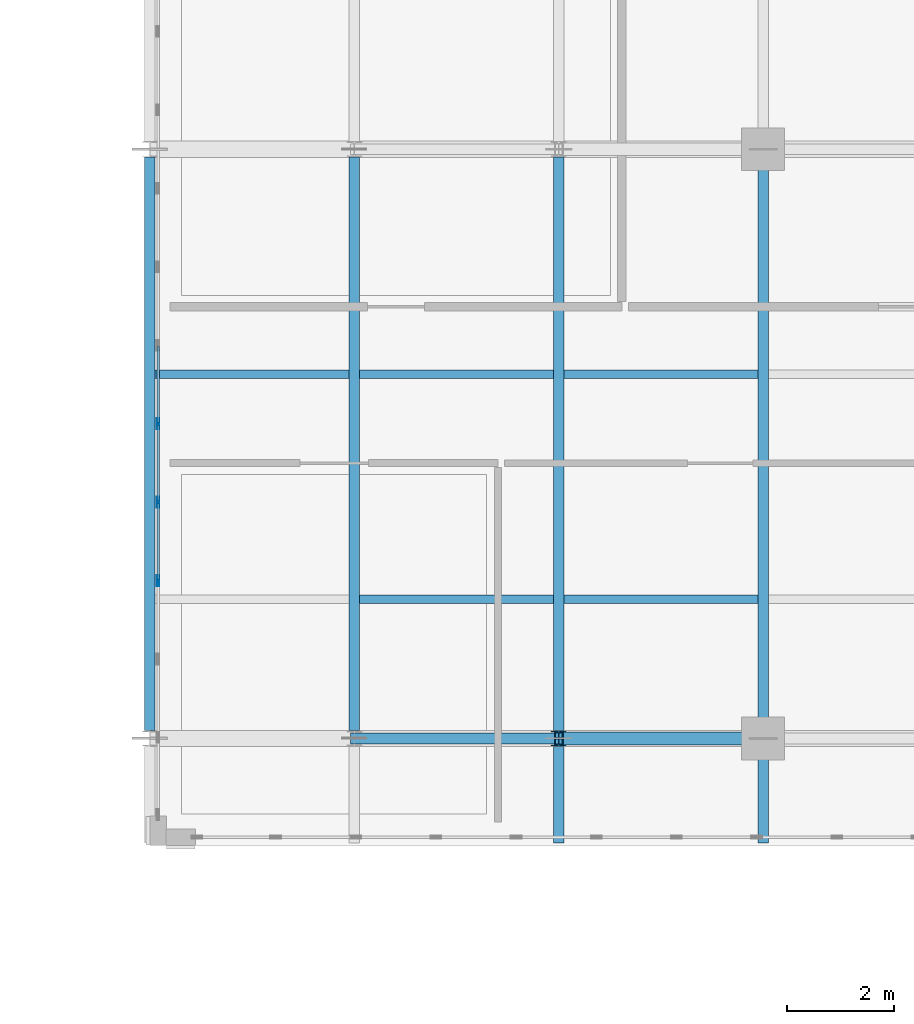
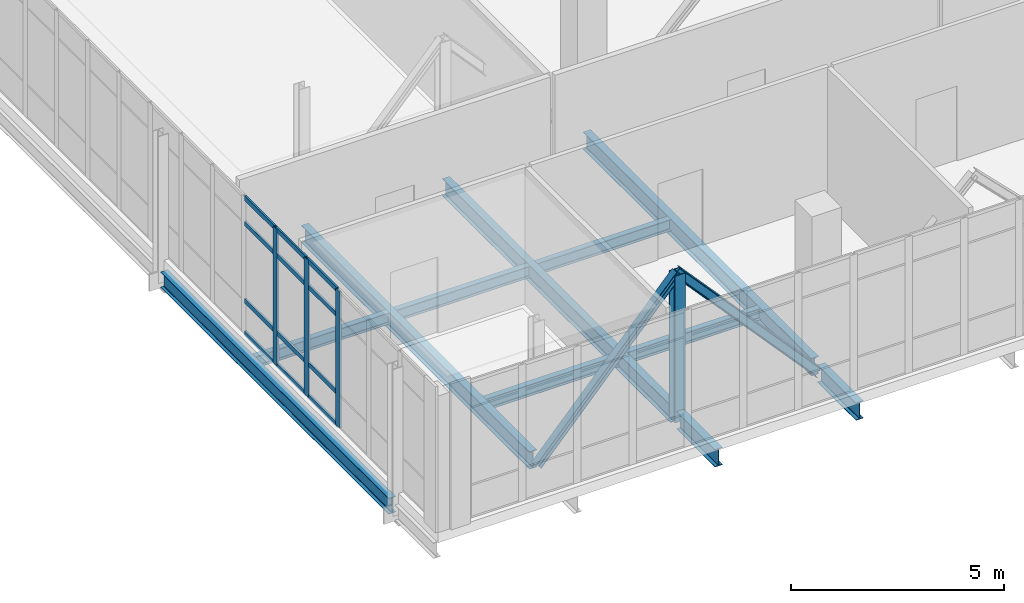
# One storey, part 3 of 193: 18 members, 11 beams, 1 element without a shape of its own.
"""IFC4 building model written with IfcOpenShell, lengths in metres."""

from ifc_helpers import new_model, si_unit, direction, frame, origin, origin_2d, place, context, subcontext, project, spatial, hollow_rectangle, i_section, extrude, material, layer, layer_set, material_profile, profile_set, type_object, element, aggregate, save


model = new_model("IFC4")

# Units and contexts
model_context = context("Model", 3, precision=1e-05, world=origin(), true_north=direction((0.0, 1.0)))
body_context = subcontext(model_context, "Body", "Model", "MODEL_VIEW")
ifc_project = project(units=[si_unit("LENGTHUNIT", "METRE"), si_unit("AREAUNIT", "SQUARE_METRE"), si_unit("VOLUMEUNIT", "CUBIC_METRE"), si_unit("PLANEANGLEUNIT", "RADIAN"), si_unit("MASSUNIT", "GRAM", prefix="KILO")], contexts=[model_context])

# Site, building, storey
site_placement = place(None, origin())
site = spatial("IfcSite", under=ifc_project, at=site_placement, CompositionType="ELEMENT")
building_placement = place(site_placement, origin())
building = spatial("IfcBuilding", under=site, at=building_placement, Name="Qalavern Law Courts", CompositionType="ELEMENT")
storey_placement = place(building_placement, frame((0.0, 0.0, 10.199951171875)))
storey = spatial("IfcBuildingStorey", under=building, at=storey_placement, Name="L02", CompositionType="ELEMENT", Elevation=10.199951171875)

# Curtain wall, members
ifc_material_1 = material(Name="Anodised aluminium and insulated glazing", Category="aluminium")
ifc_layer = layer(ifc_material_1, 0.199951171875)
ifc_layer_set = layer_set([ifc_layer], Name="Anodised aluminium and insulated glazing")
curtain_wall_type = type_object("IfcCurtainWallType", Name="ENV-CW-FOYER", PredefinedType="USERDEFINED", material=ifc_layer_set)
curtain_wall_placement = place(storey_placement, origin())
curtain_wall = element("IfcCurtainWall", 1, at=curtain_wall_placement, inside=storey, type_object=curtain_wall_type, Name="V1 unitised curtain wall L02 west 1", ObjectType="UNITISED CURTAIN WALL", PredefinedType="USERDEFINED")
ifc_material_2 = material(Name="Anodised aluminium", Category="aluminium")
ifc_material_profile_1 = material_profile(ifc_material_2, hollow_rectangle(XDim=0.048095703125, YDim=0.199951171875, WallThickness=0.00439453125, at=origin_2d()), Name="ALU MULLION 48x200")
ifc_profile_set_1 = profile_set([ifc_material_profile_1], Name="Anodised aluminium")
member_type_1 = type_object("IfcMemberType", Name="ENV-CWM-48x200", PredefinedType="MULLION", material=ifc_profile_set_1)
member_1_placement = place(storey_placement, frame((5.5048828125, 15.87353515625, 0.0), z_axis=(0.0, 0.0, 1.0), x_axis=(1.0, 0.0, 0.0)))
member_1 = element("IfcMember", 2, at=member_1_placement, type_object=member_type_1, Name="CW-01 mullion 13", PredefinedType="MULLION", context=body_context, shape_type="SweptSolid", body=[
    extrude(hollow_rectangle(XDim=0.048095703125, YDim=0.199951171875, WallThickness=0.00439453125, at=origin_2d()), origin(), (0.0, 0.0, 1.0), 3.9150390625),
])
member_2_placement = place(storey_placement, frame((5.5048828125, 14.408935546875, 0.0), z_axis=(0.0, 0.0, 1.0), x_axis=(1.0, 0.0, 0.0)))
member_2 = element("IfcMember", 3, at=member_2_placement, type_object=member_type_1, Name="CW-01 mullion 14", PredefinedType="MULLION", context=body_context, shape_type="SweptSolid", body=[
    extrude(hollow_rectangle(XDim=0.048095703125, YDim=0.199951171875, WallThickness=0.00439453125, at=origin_2d()), origin(), (0.0, 0.0, 1.0), 3.9150390625),
])
member_3_placement = place(storey_placement, frame((5.5048828125, 12.944091796875, 0.0), z_axis=(0.0, 0.0, 1.0), x_axis=(1.0, 0.0, 0.0)))
member_3 = element("IfcMember", 4, at=member_3_placement, type_object=member_type_1, Name="CW-01 mullion 15", PredefinedType="MULLION", context=body_context, shape_type="SweptSolid", body=[
    extrude(hollow_rectangle(XDim=0.048095703125, YDim=0.199951171875, WallThickness=0.00439453125, at=origin_2d()), origin(), (0.0, 0.0, 1.0), 3.9150390625),
])
ifc_material_profile_2 = material_profile(ifc_material_2, hollow_rectangle(XDim=0.048095703125, YDim=0.139892578125, WallThickness=0.00390625, at=origin_2d()), Name="ALU TRANSOM 48x140")
ifc_profile_set_2 = profile_set([ifc_material_profile_2], Name="Anodised aluminium")
member_type_2 = type_object("IfcMemberType", Name="ENV-CWT-48x140", PredefinedType="USERDEFINED", material=ifc_profile_set_2)
member_4_placement = place(storey_placement, frame((5.5048828125, 17.314208984375, 0.024169921875), z_axis=(0.0, -1.0, 0.0), x_axis=(1.0, 0.0, 0.0)))
member_4 = element("IfcMember", 5, at=member_4_placement, type_object=member_type_2, Name="CW-01 transom 12.1", ObjectType="TRANSOM", PredefinedType="USERDEFINED", context=body_context, shape_type="SweptSolid", body=[
    extrude(hollow_rectangle(XDim=0.048095703125, YDim=0.139892578125, WallThickness=0.00390625, at=origin_2d()), origin(), (0.0, 0.0, 1.0), 1.416748046875),
])
member_5_placement = place(storey_placement, frame((5.5048828125, 17.314208984375, 0.949951171875), z_axis=(0.0, -1.0, 0.0), x_axis=(1.0, 0.0, 0.0)))
member_5 = element("IfcMember", 6, at=member_5_placement, type_object=member_type_2, Name="CW-01 transom 12.2", ObjectType="TRANSOM", PredefinedType="USERDEFINED", context=body_context, shape_type="SweptSolid", body=[
    extrude(hollow_rectangle(XDim=0.048095703125, YDim=0.139892578125, WallThickness=0.00390625, at=origin_2d()), origin(), (0.0, 0.0, 1.0), 1.416748046875),
])
member_6_placement = place(storey_placement, frame((5.5048828125, 17.314208984375, 3.1650390625), z_axis=(0.0, -1.0, 0.0), x_axis=(1.0, 0.0, 0.0)))
member_6 = element("IfcMember", 7, at=member_6_placement, type_object=member_type_2, Name="CW-01 transom 12.3", ObjectType="TRANSOM", PredefinedType="USERDEFINED", context=body_context, shape_type="SweptSolid", body=[
    extrude(hollow_rectangle(XDim=0.048095703125, YDim=0.139892578125, WallThickness=0.00390625, at=origin_2d()), origin(), (0.0, 0.0, 1.0), 1.416748046875),
])
member_7_placement = place(storey_placement, frame((5.5048828125, 17.314208984375, 3.89111328125), z_axis=(0.0, -1.0, 0.0), x_axis=(1.0, 0.0, 0.0)))
member_7 = element("IfcMember", 8, at=member_7_placement, type_object=member_type_2, Name="CW-01 transom 12.4", ObjectType="TRANSOM", PredefinedType="USERDEFINED", context=body_context, shape_type="SweptSolid", body=[
    extrude(hollow_rectangle(XDim=0.048095703125, YDim=0.139892578125, WallThickness=0.00390625, at=origin_2d()), origin(), (0.0, 0.0, 1.0), 1.416748046875),
])
member_8_placement = place(storey_placement, frame((5.5048828125, 15.849609375, 0.024169921875), z_axis=(0.0, -1.0, 0.0), x_axis=(1.0, 0.0, 0.0)))
member_8 = element("IfcMember", 9, at=member_8_placement, type_object=member_type_2, Name="CW-01 transom 13.1", ObjectType="TRANSOM", PredefinedType="USERDEFINED", context=body_context, shape_type="SweptSolid", body=[
    extrude(hollow_rectangle(XDim=0.048095703125, YDim=0.139892578125, WallThickness=0.00390625, at=origin_2d()), origin(), (0.0, 0.0, 1.0), 1.416748046875),
])
member_9_placement = place(storey_placement, frame((5.5048828125, 15.849609375, 0.949951171875), z_axis=(0.0, -1.0, 0.0), x_axis=(1.0, 0.0, 0.0)))
member_9 = element("IfcMember", 10, at=member_9_placement, type_object=member_type_2, Name="CW-01 transom 13.2", ObjectType="TRANSOM", PredefinedType="USERDEFINED", context=body_context, shape_type="SweptSolid", body=[
    extrude(hollow_rectangle(XDim=0.048095703125, YDim=0.139892578125, WallThickness=0.00390625, at=origin_2d()), origin(), (0.0, 0.0, 1.0), 1.416748046875),
])
member_10_placement = place(storey_placement, frame((5.5048828125, 15.849609375, 3.1650390625), z_axis=(0.0, -1.0, 0.0), x_axis=(1.0, 0.0, 0.0)))
member_10 = element("IfcMember", 11, at=member_10_placement, type_object=member_type_2, Name="CW-01 transom 13.3", ObjectType="TRANSOM", PredefinedType="USERDEFINED", context=body_context, shape_type="SweptSolid", body=[
    extrude(hollow_rectangle(XDim=0.048095703125, YDim=0.139892578125, WallThickness=0.00390625, at=origin_2d()), origin(), (0.0, 0.0, 1.0), 1.416748046875),
])
member_11_placement = place(storey_placement, frame((5.5048828125, 15.849609375, 3.89111328125), z_axis=(0.0, -1.0, 0.0), x_axis=(1.0, 0.0, 0.0)))
member_11 = element("IfcMember", 12, at=member_11_placement, type_object=member_type_2, Name="CW-01 transom 13.4", ObjectType="TRANSOM", PredefinedType="USERDEFINED", context=body_context, shape_type="SweptSolid", body=[
    extrude(hollow_rectangle(XDim=0.048095703125, YDim=0.139892578125, WallThickness=0.00390625, at=origin_2d()), origin(), (0.0, 0.0, 1.0), 1.416748046875),
])
member_12_placement = place(storey_placement, frame((5.5048828125, 14.384765625, 0.024169921875), z_axis=(0.0, -1.0, 0.0), x_axis=(1.0, 0.0, 0.0)))
member_12 = element("IfcMember", 13, at=member_12_placement, type_object=member_type_2, Name="CW-01 transom 14.1", ObjectType="TRANSOM", PredefinedType="USERDEFINED", context=body_context, shape_type="SweptSolid", body=[
    extrude(hollow_rectangle(XDim=0.048095703125, YDim=0.139892578125, WallThickness=0.00390625, at=origin_2d()), origin(), (0.0, 0.0, 1.0), 1.416748046875),
])
member_13_placement = place(storey_placement, frame((5.5048828125, 14.384765625, 0.949951171875), z_axis=(0.0, -1.0, 0.0), x_axis=(1.0, 0.0, 0.0)))
member_13 = element("IfcMember", 14, at=member_13_placement, type_object=member_type_2, Name="CW-01 transom 14.2", ObjectType="TRANSOM", PredefinedType="USERDEFINED", context=body_context, shape_type="SweptSolid", body=[
    extrude(hollow_rectangle(XDim=0.048095703125, YDim=0.139892578125, WallThickness=0.00390625, at=origin_2d()), origin(), (0.0, 0.0, 1.0), 1.416748046875),
])
member_14_placement = place(storey_placement, frame((5.5048828125, 14.384765625, 3.1650390625), z_axis=(0.0, -1.0, 0.0), x_axis=(1.0, 0.0, 0.0)))
member_14 = element("IfcMember", 15, at=member_14_placement, type_object=member_type_2, Name="CW-01 transom 14.3", ObjectType="TRANSOM", PredefinedType="USERDEFINED", context=body_context, shape_type="SweptSolid", body=[
    extrude(hollow_rectangle(XDim=0.048095703125, YDim=0.139892578125, WallThickness=0.00390625, at=origin_2d()), origin(), (0.0, 0.0, 1.0), 1.416748046875),
])
member_15_placement = place(storey_placement, frame((5.5048828125, 14.384765625, 3.89111328125), z_axis=(0.0, -1.0, 0.0), x_axis=(1.0, 0.0, 0.0)))
member_15 = element("IfcMember", 16, at=member_15_placement, type_object=member_type_2, Name="CW-01 transom 14.4", ObjectType="TRANSOM", PredefinedType="USERDEFINED", context=body_context, shape_type="SweptSolid", body=[
    extrude(hollow_rectangle(XDim=0.048095703125, YDim=0.139892578125, WallThickness=0.00390625, at=origin_2d()), origin(), (0.0, 0.0, 1.0), 1.416748046875),
])
aggregate(curtain_wall, [member_1, member_2, member_3, member_4, member_5, member_6, member_7, member_8, member_9, member_10, member_11, member_12, member_13, member_14, member_15])

# Beams
ifc_material_3 = material(Name="Steel S355", Category="steel")
ifc_material_profile_3 = material_profile(ifc_material_3, i_section(OverallWidth=0.199951171875, OverallDepth=0.5, WebThickness=0.01025390625, FlangeThickness=0.01611328125, FilletRadius=0.02099609375, at=origin_2d()), Name="IPE 500")
ifc_profile_set_3 = profile_set([ifc_material_profile_3], Name="Steel S355")
beam_type_1 = type_object("IfcBeamType", Name="STR-BM-IPE500", PredefinedType="BEAM", material=ifc_profile_set_3)
beam_1_placement = place(storey_placement, frame((16.800048828125, 8.050048828125, -0.5400390625), z_axis=(0.0, 1.0, 0.0), x_axis=(-1.0, 0.0, 0.0)))
element("IfcBeam", 17, at=beam_1_placement, inside=storey, type_object=beam_type_1, Name="Foyer transverse beam L02-5.1", PredefinedType="BEAM", context=body_context, shape_type="SweptSolid", body=[
    extrude(i_section(OverallWidth=0.199951171875, OverallDepth=0.5, WebThickness=0.01025390625, FlangeThickness=0.01611328125, FilletRadius=0.02099609375, at=origin_2d()), origin(), (0.0, 0.0, 1.0), 1.802001953125),
])
beam_2_placement = place(storey_placement, frame((16.800048828125, 10.14794921875, -0.5400390625), z_axis=(0.0, 1.0, 0.0), x_axis=(-1.0, 0.0, 0.0)))
element("IfcBeam", 18, at=beam_2_placement, inside=storey, type_object=beam_type_1, Name="Foyer transverse beam L02-5.2", PredefinedType="BEAM", context=body_context, shape_type="SweptSolid", body=[
    extrude(i_section(OverallWidth=0.199951171875, OverallDepth=0.5, WebThickness=0.01025390625, FlangeThickness=0.01611328125, FilletRadius=0.02099609375, at=origin_2d()), origin(), (0.0, 0.0, 1.0), 10.7041015625),
])
beam_3_placement = place(storey_placement, frame((12.9833984375, 8.050048828125, -0.5400390625), z_axis=(0.0, 1.0, 0.0), x_axis=(-1.0, 0.0, 0.0)))
element("IfcBeam", 19, at=beam_3_placement, inside=storey, type_object=beam_type_1, Name="Foyer transverse beam L02-6.1", PredefinedType="BEAM", context=body_context, shape_type="SweptSolid", body=[
    extrude(i_section(OverallWidth=0.199951171875, OverallDepth=0.5, WebThickness=0.01025390625, FlangeThickness=0.01611328125, FilletRadius=0.02099609375, at=origin_2d()), origin(), (0.0, 0.0, 1.0), 1.802001953125),
])
for number, where, z_axis, x_axis, name in (
    (20, (12.9833984375, 10.14794921875, -0.5400390625), (0.0, 1.0, 0.0), (-1.0, 0.0, 0.0), "Foyer transverse beam L02-6.2"),
    (21, (9.166748046875, 10.14794921875, -0.5400390625), (0.0, 1.0, 0.0), (-1.0, 0.0, 0.0), "Foyer transverse beam L02-7.2"),
):
    element("IfcBeam", number, at=place(storey_placement, frame(where, z_axis=z_axis, x_axis=x_axis)), inside=storey, type_object=beam_type_1, Name=name, PredefinedType="BEAM", context=body_context, shape_type="SweptSolid", body=[
        extrude(i_section(OverallWidth=0.199951171875, OverallDepth=0.5, WebThickness=0.01025390625, FlangeThickness=0.01611328125, FilletRadius=0.02099609375, at=origin_2d()), origin(), (0.0, 0.0, 1.0), 10.7041015625),
    ])

# Members
ifc_material_profile_4 = material_profile(ifc_material_3, i_section(OverallWidth=0.199951171875, OverallDepth=0.199951171875, WebThickness=0.009033203125, FlangeThickness=0.014892578125, FilletRadius=0.01806640625, at=origin_2d()), Name="HEB 200")
ifc_profile_set_4 = profile_set([ifc_material_profile_4], Name="Steel S355")
member_type_3 = type_object("IfcMemberType", Name="STR-BR-HEB200", PredefinedType="BRACE", material=ifc_profile_set_4)
member_16_placement = place(storey_placement, frame((12.9833984375, 10.0, 3.590087890625), z_axis=(-0.672079845695, 0.0, -0.740478683698), x_axis=(0.0, -1.0, 0.0)))
element("IfcMember", 22, at=member_16_placement, inside=storey, type_object=member_type_3, Name="Cantilever truss T1 diagonal L02-6", PredefinedType="BRACE", context=body_context, shape_type="SweptSolid", body=[
    extrude(i_section(OverallWidth=0.199951171875, OverallDepth=0.199951171875, WebThickness=0.009033203125, FlangeThickness=0.014892578125, FilletRadius=0.01806640625, at=origin_2d()), origin(), (0.0, 0.0, 1.0), 5.678955078125),
])
ifc_material_profile_5 = material_profile(ifc_material_3, i_section(OverallWidth=0.239990234375, OverallDepth=0.239990234375, WebThickness=0.010009765625, FlangeThickness=0.01708984375, FilletRadius=0.02099609375, at=origin_2d()), Name="HEB 240")
ifc_profile_set_5 = profile_set([ifc_material_profile_5], Name="Steel S355")
member_type_4 = type_object("IfcMemberType", Name="STR-BR-HEB240", PredefinedType="BRACE", material=ifc_profile_set_5)
member_17_placement = place(storey_placement, frame((16.800048828125, 10.0, -0.614990234375), z_axis=(-0.672079845695, 0.0, 0.740478683698), x_axis=(0.0, -1.0, 0.0)))
element("IfcMember", 23, at=member_17_placement, inside=storey, type_object=member_type_4, Name="Cantilever truss T1 diagonal L02-5", PredefinedType="BRACE", context=body_context, shape_type="SweptSolid", body=[
    extrude(i_section(OverallWidth=0.239990234375, OverallDepth=0.239990234375, WebThickness=0.010009765625, FlangeThickness=0.01708984375, FilletRadius=0.02099609375, at=origin_2d()), origin(), (0.0, 0.0, 1.0), 5.678955078125),
])

# Beams
ifc_material_profile_6 = material_profile(ifc_material_3, i_section(OverallWidth=0.159912109375, OverallDepth=0.330078125, WebThickness=0.007568359375, FlangeThickness=0.011474609375, FilletRadius=0.01806640625, at=origin_2d()), Name="IPE 330")
ifc_profile_set_6 = profile_set([ifc_material_profile_6], Name="Steel S355")
beam_type_2 = type_object("IfcBeamType", Name="STR-JST-IPE330", PredefinedType="JOIST", material=ifc_profile_set_6)
for number, where, z_axis, x_axis, name in (
    (24, (13.081298828125, 12.60009765625, -0.454833984375), (1.0, 0.0, 0.0), (0.0, 1.0, 0.0), "Foyer floor joist L02-5.1"),
    (25, (13.081298828125, 16.800048828125, -0.454833984375), (1.0, 0.0, 0.0), (0.0, 1.0, 0.0), "Foyer floor joist L02-5.2"),
    (26, (9.2646484375, 12.60009765625, -0.454833984375), (1.0, 0.0, 0.0), (0.0, 1.0, 0.0), "Foyer floor joist L02-6.1"),
    (27, (9.2646484375, 16.800048828125, -0.454833984375), (1.0, 0.0, 0.0), (0.0, 1.0, 0.0), "Foyer floor joist L02-6.2"),
    (28, (5.447998046875, 16.800048828125, -0.454833984375), (1.0, 0.0, 0.0), (0.0, 1.0, 0.0), "Foyer floor joist L02-7.2"),
):
    element("IfcBeam", number, at=place(storey_placement, frame(where, z_axis=z_axis, x_axis=x_axis)), inside=storey, type_object=beam_type_2, Name=name, PredefinedType="JOIST", context=body_context, shape_type="SweptSolid", body=[
        extrude(i_section(OverallWidth=0.159912109375, OverallDepth=0.330078125, WebThickness=0.007568359375, FlangeThickness=0.011474609375, FilletRadius=0.01806640625, at=origin_2d()), origin(), (0.0, 0.0, 1.0), 3.62060546875),
    ])

# Member
ifc_material_profile_7 = material_profile(ifc_material_3, i_section(OverallWidth=0.280029296875, OverallDepth=0.280029296875, WebThickness=0.010498046875, FlangeThickness=0.01806640625, FilletRadius=0.02392578125, at=origin_2d()), Name="HEB 280")
ifc_profile_set_7 = profile_set([ifc_material_profile_7], Name="Steel S355")
member_type_5 = type_object("IfcMemberType", Name="STR-POST-HEB280", PredefinedType="POST", material=ifc_profile_set_7)
member_18_placement = place(storey_placement, frame((12.9833984375, 10.0, -0.614990234375), z_axis=(0.0, 0.0, 1.0), x_axis=(1.0, 0.0, 0.0)))
element("IfcMember", 29, at=member_18_placement, inside=storey, type_object=member_type_5, Name="Cantilever truss T1 post L02-1", PredefinedType="POST", context=body_context, shape_type="SweptSolid", body=[
    extrude(i_section(OverallWidth=0.280029296875, OverallDepth=0.280029296875, WebThickness=0.010498046875, FlangeThickness=0.01806640625, FilletRadius=0.02392578125, at=origin_2d()), origin(), (0.0, 0.0, 1.0), 4.205078125),
])

# Beam
ifc_material_profile_8 = material_profile(ifc_material_3, i_section(OverallWidth=0.18994140625, OverallDepth=0.449951171875, WebThickness=0.009521484375, FlangeThickness=0.0146484375, FilletRadius=0.02099609375, at=origin_2d()), Name="IPE 450")
ifc_profile_set_8 = profile_set([ifc_material_profile_8], Name="Steel S355")
beam_type_3 = type_object("IfcBeamType", Name="STR-SP-IPE450", PredefinedType="SPANDREL", material=ifc_profile_set_8)
beam_4_placement = place(storey_placement, frame((5.35009765625, 10.14794921875, -0.514892578125), z_axis=(0.0, 1.0, 0.0), x_axis=(-1.0, 0.0, 0.0)))
element("IfcBeam", 30, at=beam_4_placement, inside=storey, type_object=beam_type_3, Name="Foyer transverse beam L02-8.2", PredefinedType="SPANDREL", context=body_context, shape_type="SweptSolid", body=[
    extrude(i_section(OverallWidth=0.18994140625, OverallDepth=0.449951171875, WebThickness=0.009521484375, FlangeThickness=0.0146484375, FilletRadius=0.02099609375, at=origin_2d()), origin(), (0.0, 0.0, 1.0), 10.7041015625),
])

save(model, "model.ifc")
